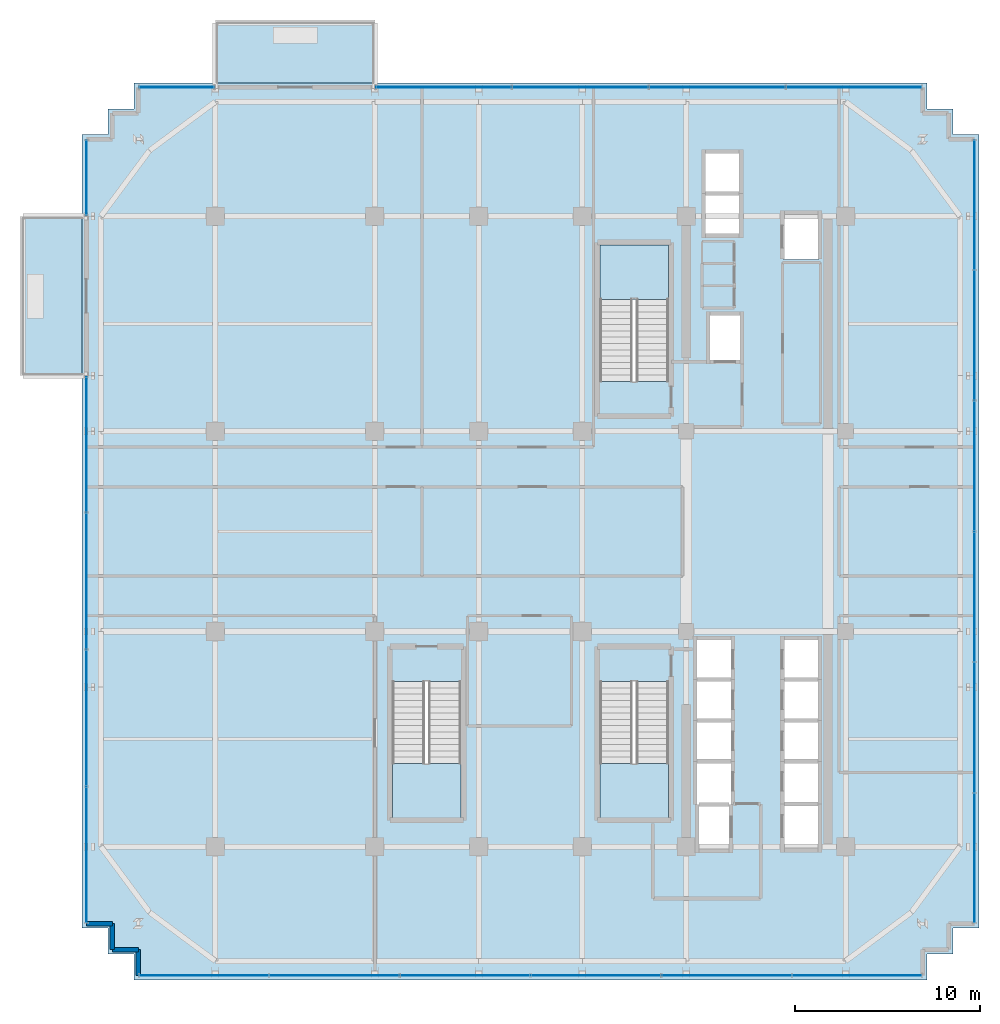
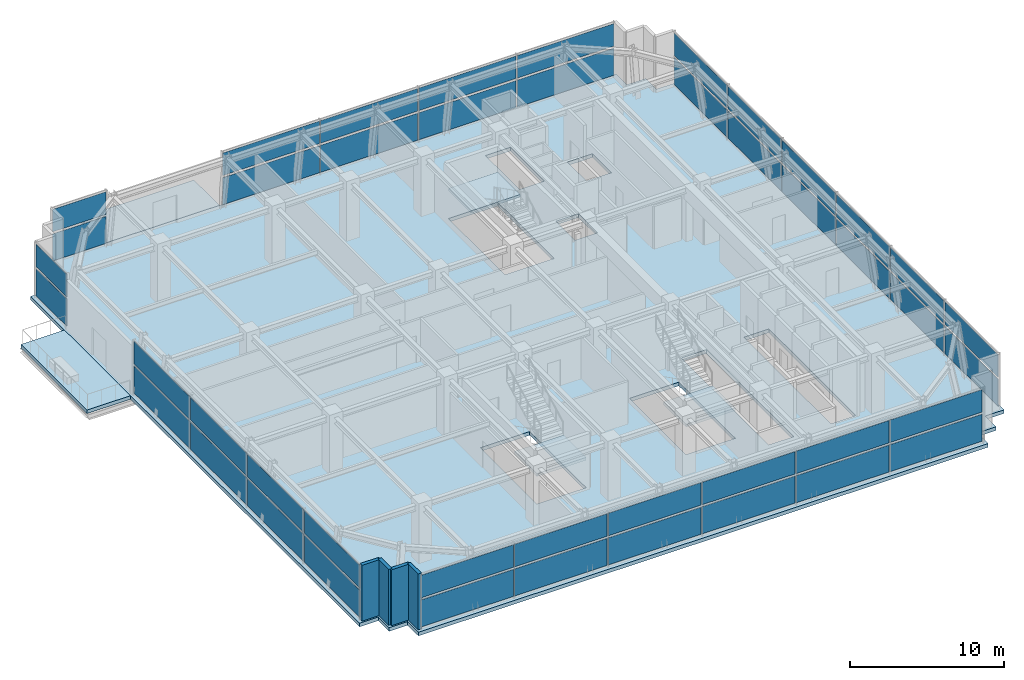
# One storey, part 20 of 28: 44 plates, 6 slabs, 4 walls, 9 elements without a shape of their own.
"""IFC4 building model written with IfcOpenShell, lengths in metres."""

import ifcopenshell
import ifcopenshell.guid

model = None  # the IFC model being written
_history = None  # IfcOwnerHistory: only IFC2X3 demands one
_inside = {}  # id of a spatial element -> (the spatial element, [elements in it])
_under = {}  # id of a project, library or spatial element -> (it, [spatial elements below it])
_declared = {}  # id of a project -> (the project, [libraries it declares])
_typed = {}  # id of a type object -> (the type object, [elements of that type])
_made_of = {}  # id of a material, layer set ... -> (it, [elements and type objects made of it])


def new_model(schema):
    """Start an empty IFC model of exactly this schema.

    Asked for "IFC4X3", IfcOpenShell would pick the latest addendum, in which some entities
    have other attributes; the version numbers below select the first issue.
    IFC2X3 requires an IfcOwnerHistory on every rooted entity: one is made here for all.
    """
    global model, _history
    if schema == "IFC4X3":
        model = ifcopenshell.file(schema_version=(4, 3, 0, 0))
    else:
        model = ifcopenshell.file(schema=schema)
    _inside.clear()
    _under.clear()
    _declared.clear()
    _typed.clear()
    _made_of.clear()
    _history = None
    if model.schema == "IFC2X3":
        org = make("IfcOrganization", Name="unknown")
        user = make(
            "IfcPersonAndOrganization",
            ThePerson=make("IfcPerson", FamilyName="unknown"),
            TheOrganization=org,
        )
        app = make(
            "IfcApplication",
            ApplicationDeveloper=org,
            Version="unknown",
            ApplicationFullName="unknown",
            ApplicationIdentifier="unknown",
        )
        _history = make(
            "IfcOwnerHistory",
            OwningUser=user,
            OwningApplication=app,
            ChangeAction="ADDED",
            CreationDate=0,
        )
    return model


def make(cls, **values):
    """One entity of the class cls with the attributes given. An attribute that is None is left unset."""
    return model.create_entity(
        cls, **{name: value for name, value in values.items() if value is not None}
    )


def rooted(cls, **values):
    """An entity with a GlobalId (a new one), such as an element, a storey or a relation."""
    return make(cls, GlobalId=ifcopenshell.guid.new(), OwnerHistory=_history, **values)


def si_unit(unit_type, name, prefix=None):
    """IfcSIUnit, for example si_unit("LENGTHUNIT", "METRE", prefix="MILLI")."""
    return make("IfcSIUnit", UnitType=unit_type, Prefix=prefix, Name=name)


def assignment(units):
    """IfcUnitAssignment: the units of a project."""
    return None if units is None else make("IfcUnitAssignment", Units=units)


def point(xyz):
    """IfcCartesianPoint."""
    return None if xyz is None else make("IfcCartesianPoint", Coordinates=xyz)


def direction(xyz):
    """IfcDirection."""
    return None if xyz is None else make("IfcDirection", DirectionRatios=xyz)


def frame(location, z_axis=None, x_axis=None):
    """IfcAxis2Placement3D, a coordinate frame: its origin and axes. An axis left out is left unset."""
    return make(
        "IfcAxis2Placement3D",
        Location=point(location),
        Axis=direction(z_axis),
        RefDirection=direction(x_axis),
    )


def frame_2d(location, x_axis=None):
    """IfcAxis2Placement2D, a coordinate frame in the plane: its origin and x axis."""
    return make(
        "IfcAxis2Placement2D", Location=point(location), RefDirection=direction(x_axis)
    )


def origin():
    """The frame at (0, 0, 0) with its axes left unset."""
    return frame((0.0, 0.0, 0.0))


def origin_2d():
    """The frame at (0, 0) in the plane with its x axis left unset."""
    return frame_2d((0.0, 0.0))


def place(relative_to, where):
    """IfcLocalPlacement: puts the frame where relative to a parent placement (None: the world)."""
    return make(
        "IfcLocalPlacement", PlacementRelTo=relative_to, RelativePlacement=where
    )


def context(
    kind, dimensions, precision=None, world=None, true_north=None, identifier=None
):
    """IfcGeometricRepresentationContext, for example the 3D "Model" context."""
    return make(
        "IfcGeometricRepresentationContext",
        ContextIdentifier=identifier,
        ContextType=kind,
        CoordinateSpaceDimension=dimensions,
        Precision=precision,
        WorldCoordinateSystem=world,
        TrueNorth=true_north,
    )


def subcontext(parent, identifier, kind, view, scale=None):
    """IfcGeometricRepresentationSubContext, for example "Body" below "Model"."""
    return make(
        "IfcGeometricRepresentationSubContext",
        ContextIdentifier=identifier,
        ContextType=kind,
        ParentContext=parent,
        TargetScale=scale,
        TargetView=view,
    )


def project(units=None, contexts=None):
    """IfcProject with its units and contexts."""
    return rooted(
        "IfcProject",
        Name="project",
        RepresentationContexts=contexts,
        UnitsInContext=assignment(units),
    )


def spatial(cls, under=None, at=None, **own):
    """A site, building, storey or space (cls), placed at a placement, below another one or the project."""
    s = rooted(cls, ObjectPlacement=at, **own)
    if under is not None:
        _under.setdefault(under.id(), (under, []))[1].append(s)
    return s


def polyline(points):
    """IfcPolyline through the points."""
    return make("IfcPolyline", Points=[point(p) for p in points])


def profile(cls, at=None, kind="AREA", **sizes):
    """A parametric profile (cls). Its sizes go by their IFC names, for example OverallWidth=200.0."""
    return make(cls, ProfileType=kind, Position=at, **sizes)


def rectangle(**sizes):
    """IfcRectangleProfileDef."""
    return profile("IfcRectangleProfileDef", **sizes)


def outline(outer, holes=None, kind="AREA"):
    """IfcArbitraryClosedProfileDef: a profile drawn as a closed curve; with holes, ...WithVoids."""
    if holes is None:
        return make("IfcArbitraryClosedProfileDef", ProfileType=kind, OuterCurve=outer)
    return make(
        "IfcArbitraryProfileDefWithVoids",
        ProfileType=kind,
        OuterCurve=outer,
        InnerCurves=holes,
    )


def extrude(swept, where, along, depth):
    """IfcExtrudedAreaSolid: the profile swept, set in the frame where, extruded along a direction by depth."""
    return make(
        "IfcExtrudedAreaSolid",
        SweptArea=swept,
        Position=where,
        ExtrudedDirection=direction(along),
        Depth=depth,
    )


def shape(context_of_items, identifier, shape_type, items):
    """IfcShapeRepresentation: the items that make up one representation, for example the "Body"."""
    return make(
        "IfcShapeRepresentation",
        ContextOfItems=context_of_items,
        RepresentationIdentifier=identifier,
        RepresentationType=shape_type,
        Items=items,
    )


def source(mapping_origin, context_of_items, identifier, shape_type, items):
    """IfcRepresentationMap: a shape defined once, which mapped items show again and again."""
    return make(
        "IfcRepresentationMap",
        MappingOrigin=mapping_origin,
        MappedRepresentation=shape(context_of_items, identifier, shape_type, items),
    )


def transform(
    local_origin,
    x_axis=None,
    y_axis=None,
    z_axis=None,
    scale=None,
    scale2=None,
    scale3=None,
    uniform=True,
):
    """IfcCartesianTransformationOperator3D, or its non-uniform kind. x_axis, y_axis, z_axis: its Axis1, 2, 3."""
    if uniform:
        return make(
            "IfcCartesianTransformationOperator3D",
            Axis1=direction(x_axis),
            Axis2=direction(y_axis),
            LocalOrigin=point(local_origin),
            Scale=scale,
            Axis3=direction(z_axis),
        )
    return make(
        "IfcCartesianTransformationOperator3DnonUniform",
        Axis1=direction(x_axis),
        Axis2=direction(y_axis),
        LocalOrigin=point(local_origin),
        Scale=scale,
        Axis3=direction(z_axis),
        Scale2=scale2,
        Scale3=scale3,
    )


def mapped(mapping_source, mapping_target):
    """IfcMappedItem: shows the shape of a source again, moved by a transform."""
    return make(
        "IfcMappedItem", MappingSource=mapping_source, MappingTarget=mapping_target
    )


def material(Name=None, Category=None):
    """IfcMaterial."""
    return make("IfcMaterial", Name=Name, Category=Category)


def layer(
    of_material, thickness, ventilated=None, Name=None, Category=None, Priority=None
):
    """IfcMaterialLayer: one layer of a wall or slab, of a material (None: an air gap)."""
    return make(
        "IfcMaterialLayer",
        Material=of_material,
        LayerThickness=thickness,
        IsVentilated=ventilated,
        Name=Name,
        Category=Category,
        Priority=Priority,
    )


def layer_set(layers, Name=None):
    """IfcMaterialLayerSet."""
    return make("IfcMaterialLayerSet", MaterialLayers=layers, LayerSetName=Name)


def made_of(thing, what):
    """Note that an element or type object is made of a material, layer set ...; save() writes the relation."""
    if what is not None:
        _made_of.setdefault(what.id(), (what, []))[1].append(thing)
    return thing


def type_object(cls, material=None, **own):
    """A type object (cls), such as IfcWallType, which elements share."""
    return made_of(rooted(cls, **own), material)


def element(
    cls,
    number,
    at=None,
    inside=None,
    cuts=None,
    type_object=None,
    material=None,
    context=None,
    identifier="Body",
    shape_type=None,
    held_by="IfcProductDefinitionShape",
    body=None,
    shapes=None,
    **own,
):
    """One element of the class cls, such as IfcWall. Its Tag is "e" and its number.

    at: its placement. inside: the storey or other place that contains it. cuts: it is an
    opening in that element (IfcRelVoidsElement). A single representation is given by context,
    identifier, shape_type and body (its items); several are given by shapes. held_by: the class
    of the entity that holds the representations. save() writes the other relations.
    """
    e = rooted(cls, Tag="e%d" % number, ObjectPlacement=at, **own)
    if body is not None:
        shapes = [shape(context, identifier, shape_type, body)]
    if shapes is not None:
        e.Representation = make(held_by, Representations=shapes)
    if inside is not None:
        _inside.setdefault(inside.id(), (inside, []))[1].append(e)
    if cuts is not None:
        rooted(
            "IfcRelVoidsElement", RelatingBuildingElement=cuts, RelatedOpeningElement=e
        )
    if type_object is not None:
        _typed.setdefault(type_object.id(), (type_object, []))[1].append(e)
    return made_of(e, material)


def aggregate(whole, parts):
    """IfcRelAggregates: a whole, such as a stair, and the parts it consists of."""
    return rooted("IfcRelAggregates", RelatingObject=whole, RelatedObjects=parts)


def save(model, path):
    """Write the relations noted so far, then the file.

    IfcRelAggregates (storeys below a building ...), IfcRelContainedInSpatialStructure (elements
    in a storey), IfcRelDefinesByType, IfcRelAssociatesMaterial and IfcRelDeclares: one each for
    every whole, place, type object, material and project.
    """
    for whole, parts in _under.values():
        aggregate(whole, parts)
    for where, things in _inside.values():
        rooted(
            "IfcRelContainedInSpatialStructure",
            RelatedElements=things,
            RelatingStructure=where,
        )
    for kind, things in _typed.values():
        rooted("IfcRelDefinesByType", RelatedObjects=things, RelatingType=kind)
    for what, things in _made_of.values():
        rooted("IfcRelAssociatesMaterial", RelatedObjects=things, RelatingMaterial=what)
    for by, libraries in _declared.values():
        rooted("IfcRelDeclares", RelatingContext=by, RelatedDefinitions=libraries)
    model.write(path)


model = new_model("IFC4")

# Units and contexts
model_context = context("Model", 3, precision=1e-05, world=origin(), true_north=direction((0.0, 1.0)))
body_context = subcontext(model_context, "Body", "Model", "MODEL_VIEW")
ifc_project = project(units=[si_unit("LENGTHUNIT", "METRE"), si_unit("AREAUNIT", "SQUARE_METRE"), si_unit("VOLUMEUNIT", "CUBIC_METRE"), si_unit("PLANEANGLEUNIT", "RADIAN"), si_unit("MASSUNIT", "GRAM", prefix="KILO")], contexts=[model_context])

# Site, building, storey
site_placement = place(None, origin())
site = spatial("IfcSite", under=ifc_project, at=site_placement, CompositionType="ELEMENT")
building_placement = place(site_placement, origin())
building = spatial("IfcBuilding", under=site, at=building_placement, Name="Nahalor Promenade Grand Hotel", CompositionType="ELEMENT")
storey_placement = place(building_placement, frame((0.0, 0.0, 256.699951171875)))
storey = spatial("IfcBuildingStorey", under=building, at=storey_placement, Name="L66", CompositionType="ELEMENT", Elevation=256.699951171875)

# Stair, slab
ifc_material_1 = material(Name="Concrete B-50 (C40/50)", Category="concrete")
stair_type_1 = type_object("IfcStairType", Name="Stair-ST1", PredefinedType="HALF_TURN_STAIR", material=ifc_material_1)
stair_1_placement = place(storey_placement, origin())
stair_1 = element("IfcStair", 1, at=stair_1_placement, inside=storey, type_object=stair_type_1, Name="L66 ST1", PredefinedType="HALF_TURN_STAIR")
ifc_layer_1 = layer(ifc_material_1, 0.199951171875)
ifc_layer_set_1 = layer_set([ifc_layer_1], Name="Concrete B-50 (C40/50)")
slab_type_1 = type_object("IfcSlabType", Name="Landing-ST1", PredefinedType="LANDING", material=ifc_layer_set_1)
slab_1_placement = place(storey_placement, frame((0.0, 0.0, 2.199951171875)))
slab_1 = element("IfcSlab", 2, at=slab_1_placement, type_object=slab_type_1, Name="ST1 landing 1", PredefinedType="LANDING", context=body_context, shape_type="SweptSolid", body=[
    extrude(outline(polyline([(7.449951171875, 12.52001953125), (7.449951171875, 15.449951171875), (3.75, 15.449951171875), (3.75, 12.52001953125), (7.449951171875, 12.52001953125)])), origin(), (0.0, 0.0, 1.0), 0.2001953125),
])
aggregate(stair_1, [slab_1])

stair_type_2 = type_object("IfcStairType", Name="Stair-ST2", PredefinedType="HALF_TURN_STAIR", material=ifc_material_1)
stair_2_placement = place(storey_placement, origin())
stair_2 = element("IfcStair", 3, at=stair_2_placement, inside=storey, type_object=stair_type_2, Name="L66 ST2", PredefinedType="HALF_TURN_STAIR")
ifc_layer_2 = layer(ifc_material_1, 0.2099609375)
ifc_layer_set_2 = layer_set([ifc_layer_2], Name="Concrete B-50 (C40/50)")
slab_type_2 = type_object("IfcSlabType", Name="Landing-ST2", PredefinedType="LANDING", material=ifc_layer_set_2)
slab_2_placement = place(storey_placement, frame((0.0, 0.0, 2.18994140625)))
slab_2 = element("IfcSlab", 4, at=slab_2_placement, type_object=slab_type_2, Name="ST2 landing 1", PredefinedType="LANDING", context=body_context, shape_type="SweptSolid", body=[
    extrude(outline(polyline([(3.75, -12.52001953125), (3.75, -15.449951171875), (7.449951171875, -15.449951171875), (7.449951171875, -12.52001953125), (3.75, -12.52001953125)])), origin(), (0.0, 0.0, 1.0), 0.210205078125),
])
aggregate(stair_2, [slab_2])

stair_type_3 = type_object("IfcStairType", Name="Stair-ST3", PredefinedType="HALF_TURN_STAIR", material=ifc_material_1)
stair_3_placement = place(storey_placement, origin())
stair_3 = element("IfcStair", 5, at=stair_3_placement, inside=storey, type_object=stair_type_3, Name="L66 ST3", PredefinedType="HALF_TURN_STAIR")
ifc_layer_3 = layer(ifc_material_1, 0.219970703125)
ifc_layer_set_3 = layer_set([ifc_layer_3], Name="Concrete B-50 (C40/50)")
slab_type_3 = type_object("IfcSlabType", Name="Landing-ST3", PredefinedType="LANDING", material=ifc_layer_set_3)
slab_3_placement = place(storey_placement, frame((0.0, 0.0, 2.179931640625)))
slab_3 = element("IfcSlab", 6, at=slab_3_placement, type_object=slab_type_3, Name="ST3 landing 1", PredefinedType="LANDING", context=body_context, shape_type="SweptSolid", body=[
    extrude(outline(polyline([(-7.449951171875, -12.52001953125), (-7.449951171875, -15.449951171875), (-3.75, -15.449951171875), (-3.75, -12.52001953125), (-7.449951171875, -12.52001953125)])), origin(), (0.0, 0.0, 1.0), 0.22021484375),
])
aggregate(stair_3, [slab_3])

# Slabs
ifc_layer_4 = layer(ifc_material_1, 0.280029296875)
ifc_layer_set_4 = layer_set([ifc_layer_4], Name="Concrete B-50 (C40/50)")
slab_type_4 = type_object("IfcSlabType", Name="Slab-Balcony-280", PredefinedType="FLOOR", material=ifc_layer_set_4)
slab_4_placement = place(storey_placement, frame((0.0, 0.0, -0.280029296875)))
element("IfcSlab", 7, at=slab_4_placement, inside=storey, type_object=slab_type_4, Name="L66 Cantilevered Planted Balcony 1", PredefinedType="FLOOR", context=body_context, shape_type="SweptSolid", body=[
    extrude(outline(polyline([(-17.0, 24.199951171875), (-8.39990234375, 24.199951171875), (-8.39990234375, 27.52001953125), (-17.0, 27.52001953125), (-17.0, 24.199951171875)])), origin(), (0.0, 0.0, 1.0), 0.280029296875),
])
slab_5_placement = place(storey_placement, frame((0.0, 0.0, -0.280029296875)))
element("IfcSlab", 8, at=slab_5_placement, inside=storey, type_object=slab_type_4, Name="L66 Cantilevered Planted Balcony 2", PredefinedType="FLOOR", context=body_context, shape_type="SweptSolid", body=[
    extrude(outline(polyline([(-27.469970703125, 8.39990234375), (-24.199951171875, 8.39990234375), (-24.199951171875, 17.0), (-27.469970703125, 17.0), (-27.469970703125, 8.39990234375)])), origin(), (0.0, 0.0, 1.0), 0.280029296875),
])
ifc_layer_5 = layer(ifc_material_1, 0.2900390625)
ifc_layer_set_5 = layer_set([ifc_layer_5], Name="Concrete B-50 (C40/50)")
slab_type_5 = type_object("IfcSlabType", Name="Slab-TowerZ4-290", PredefinedType="FLOOR", material=ifc_layer_set_5)
slab_6_placement = place(storey_placement, frame((0.0, 0.0, -0.2900390625)))
element("IfcSlab", 9, at=slab_6_placement, inside=storey, type_object=slab_type_5, Name="L66 Suspended Structural Floor Slab", PredefinedType="FLOOR", context=body_context, shape_type="SweptSolid", body=[
    extrude(outline(polyline([(-21.39990234375, -24.199951171875), (21.39990234375, -24.199951171875), (21.39990234375, -22.800048828125), (22.800048828125, -22.800048828125), (22.800048828125, -21.39990234375), (24.199951171875, -21.39990234375), (24.199951171875, 21.39990234375), (22.800048828125, 21.39990234375), (22.800048828125, 22.800048828125), (21.39990234375, 22.800048828125), (21.39990234375, 24.199951171875), (-21.39990234375, 24.199951171875), (-21.39990234375, 22.800048828125), (-22.800048828125, 22.800048828125), (-22.800048828125, 21.39990234375), (-24.199951171875, 21.39990234375), (-24.199951171875, -21.39990234375), (-22.800048828125, -21.39990234375), (-22.800048828125, -22.800048828125), (-21.39990234375, -22.800048828125), (-21.39990234375, -24.199951171875)]), holes=[polyline([(3.75, 8.10009765625), (7.449951171875, 8.10009765625), (7.449951171875, 15.449951171875), (3.75, 15.449951171875), (3.75, 8.10009765625)]), polyline([(3.75, -15.449951171875), (7.449951171875, -15.449951171875), (7.449951171875, -8.10009765625), (3.75, -8.10009765625), (3.75, -15.449951171875)]), polyline([(-7.449951171875, -15.449951171875), (-3.75, -15.449951171875), (-3.75, -8.10009765625), (-7.449951171875, -8.10009765625), (-7.449951171875, -15.449951171875)]), polyline([(13.659912109375, -17.139892578125), (15.5400390625, -17.139892578125), (15.5400390625, -5.81005859375), (13.659912109375, -5.81005859375), (13.659912109375, -17.139892578125)]), polyline([(8.9599609375, -17.18994140625), (10.840087890625, -17.18994140625), (10.840087890625, -5.81005859375), (8.9599609375, -5.81005859375), (8.9599609375, -17.18994140625)]), polyline([(9.409912109375, 16.010009765625), (11.2900390625, 16.010009765625), (11.2900390625, 20.43994140625), (9.409912109375, 20.43994140625), (9.409912109375, 16.010009765625)]), polyline([(9.659912109375, 9.2099609375), (11.340087890625, 9.2099609375), (11.340087890625, 11.68994140625), (9.659912109375, 11.68994140625), (9.659912109375, 9.2099609375)]), polyline([(13.659912109375, 14.659912109375), (15.5400390625, 14.659912109375), (15.5400390625, 17.139892578125), (13.659912109375, 17.139892578125), (13.659912109375, 14.659912109375)])]), origin(), (0.0, 0.0, 1.0), 0.2900390625),
])

# Curtain wall, plates
ifc_material_2 = material(Name="Anodised Bronze Aluminium EN AW-6063 T6", Category="aluminium")
curtain_wall_type = type_object("IfcCurtainWallType", Name="CW5 Sky-Lobby & Observation Panoramic Curtain Wall", PredefinedType="USERDEFINED", material=ifc_material_2)
curtain_wall_1_placement = place(storey_placement, origin())
curtain_wall_1 = element("IfcCurtainWall", 10, at=curtain_wall_1_placement, inside=storey, type_object=curtain_wall_type, Name="L66 Curtain Wall CW-L66-S-1", ObjectType="UNITISED_CURTAIN_WALL", PredefinedType="USERDEFINED")
ifc_material_3 = material(Name="Low-E Laminated Solar Glass", Category="glass")
ifc_layer_6 = layer(ifc_material_3, 0.035888671875)
ifc_layer_set_6 = layer_set([ifc_layer_6], Name="Low-E Laminated Solar Glass")
plate_type = type_object("IfcPlateType", Name="CWP5 Observation Acoustic Triple IGU 36mm", PredefinedType="CURTAIN_PANEL", material=ifc_layer_set_6)
shared_shape_1 = source(origin(), body_context, "Body", "SweptSolid", [
    extrude(rectangle(XDim=6.92578125, YDim=0.035888671875, at=origin_2d()), origin(), (0.0, 0.0, 1.0), 2.14501953125),
])
plate_1_placement = place(storey_placement, frame((-17.612060546875, -23.9599609375, 0.169921875), z_axis=(0.0, 0.0, 1.0), x_axis=(1.0, 0.0, 0.0)))
plate_1 = element("IfcPlate", 11, at=plate_1_placement, type_object=plate_type, Name="CW-L66-S-1 Glazing Panel 0-0", PredefinedType="CURTAIN_PANEL", context=body_context, shape_type="MappedRepresentation", body=[
    mapped(shared_shape_1, transform((0.0, 0.0, 0.0), scale=1.0)),
])
plate_2_placement = place(storey_placement, frame((17.612060546875, -23.9599609375, 0.169921875), z_axis=(0.0, 0.0, 1.0), x_axis=(1.0, 0.0, 0.0)))
plate_2 = element("IfcPlate", 12, at=plate_2_placement, type_object=plate_type, Name="CW-L66-S-1 Glazing Panel 5-0", PredefinedType="CURTAIN_PANEL", context=body_context, shape_type="MappedRepresentation", body=[
    mapped(shared_shape_1, transform((0.0, 0.0, 0.0), scale=1.0)),
])

curtain_wall_2_placement = place(storey_placement, origin())
curtain_wall_2 = element("IfcCurtainWall", 13, at=curtain_wall_2_placement, inside=storey, type_object=curtain_wall_type, Name="L66 Curtain Wall CW-L66-E-1", ObjectType="UNITISED_CURTAIN_WALL", PredefinedType="USERDEFINED")
plate_3_placement = place(storey_placement, frame((23.9599609375, -17.612060546875, 0.169921875), z_axis=(0.0, 0.0, 1.0), x_axis=(0.0, 1.0, 0.0)))
plate_3 = element("IfcPlate", 14, at=plate_3_placement, type_object=plate_type, Name="CW-L66-E-1 Glazing Panel 0-0", PredefinedType="CURTAIN_PANEL", context=body_context, shape_type="MappedRepresentation", body=[
    mapped(shared_shape_1, transform((0.0, 0.0, 0.0), scale=1.0)),
])
plate_4_placement = place(storey_placement, frame((23.9599609375, 17.612060546875, 0.169921875), z_axis=(0.0, 0.0, 1.0), x_axis=(0.0, 1.0, 0.0)))
plate_4 = element("IfcPlate", 15, at=plate_4_placement, type_object=plate_type, Name="CW-L66-E-1 Glazing Panel 5-0", PredefinedType="CURTAIN_PANEL", context=body_context, shape_type="MappedRepresentation", body=[
    mapped(shared_shape_1, transform((0.0, 0.0, 0.0), scale=1.0)),
])

# Plate
shared_shape_2 = source(origin(), body_context, "Body", "SweptSolid", [
    extrude(rectangle(XDim=6.92578125, YDim=0.035888671875, at=origin_2d()), origin(), (0.0, 0.0, 1.0), 1.784912109375),
])
plate_5_placement = place(storey_placement, frame((-17.612060546875, -23.9599609375, 2.48486328125), z_axis=(0.0, 0.0, 1.0), x_axis=(1.0, 0.0, 0.0)))
plate_5 = element("IfcPlate", 16, at=plate_5_placement, type_object=plate_type, Name="CW-L66-S-1 Glazing Panel 0-1", PredefinedType="CURTAIN_PANEL", context=body_context, shape_type="MappedRepresentation", body=[
    mapped(shared_shape_2, transform((0.0, 0.0, 0.0), scale=1.0)),
])

plate_6_placement = place(storey_placement, frame((17.612060546875, -23.9599609375, 2.48486328125), z_axis=(0.0, 0.0, 1.0), x_axis=(1.0, 0.0, 0.0)))
plate_6 = element("IfcPlate", 17, at=plate_6_placement, type_object=plate_type, Name="CW-L66-S-1 Glazing Panel 5-1", PredefinedType="CURTAIN_PANEL", context=body_context, shape_type="MappedRepresentation", body=[
    mapped(shared_shape_2, transform((0.0, 0.0, 0.0), scale=1.0)),
])

plate_7_placement = place(storey_placement, frame((23.9599609375, -17.612060546875, 2.48486328125), z_axis=(0.0, 0.0, 1.0), x_axis=(0.0, 1.0, 0.0)))
plate_7 = element("IfcPlate", 18, at=plate_7_placement, type_object=plate_type, Name="CW-L66-E-1 Glazing Panel 0-1", PredefinedType="CURTAIN_PANEL", context=body_context, shape_type="MappedRepresentation", body=[
    mapped(shared_shape_2, transform((0.0, 0.0, 0.0), scale=1.0)),
])

plate_8_placement = place(storey_placement, frame((23.9599609375, 17.612060546875, 2.48486328125), z_axis=(0.0, 0.0, 1.0), x_axis=(0.0, 1.0, 0.0)))
plate_8 = element("IfcPlate", 19, at=plate_8_placement, type_object=plate_type, Name="CW-L66-E-1 Glazing Panel 5-1", PredefinedType="CURTAIN_PANEL", context=body_context, shape_type="MappedRepresentation", body=[
    mapped(shared_shape_2, transform((0.0, 0.0, 0.0), scale=1.0)),
])

shared_shape_3 = source(origin(), body_context, "Body", "SweptSolid", [
    extrude(rectangle(XDim=6.96826171875, YDim=0.035888671875, at=origin_2d()), origin(), (0.0, 0.0, 1.0), 2.14501953125),
])
plate_9_placement = place(storey_placement, frame((-10.580078125, -23.9599609375, 0.169921875), z_axis=(0.0, 0.0, 1.0), x_axis=(1.0, 0.0, 0.0)))
plate_9 = element("IfcPlate", 20, at=plate_9_placement, type_object=plate_type, Name="CW-L66-S-1 Glazing Panel 1-0", PredefinedType="CURTAIN_PANEL", context=body_context, shape_type="MappedRepresentation", body=[
    mapped(shared_shape_3, transform((0.0, 0.0, 0.0), scale=1.0)),
])

plate_10_placement = place(storey_placement, frame((-3.526611328125, -23.9599609375, 0.169921875), z_axis=(0.0, 0.0, 1.0), x_axis=(1.0, 0.0, 0.0)))
plate_10 = element("IfcPlate", 21, at=plate_10_placement, type_object=plate_type, Name="CW-L66-S-1 Glazing Panel 2-0", PredefinedType="CURTAIN_PANEL", context=body_context, shape_type="MappedRepresentation", body=[
    mapped(shared_shape_3, transform((0.0, 0.0, 0.0), scale=1.0)),
])

plate_11_placement = place(storey_placement, frame((3.526611328125, -23.9599609375, 0.169921875), z_axis=(0.0, 0.0, 1.0), x_axis=(1.0, 0.0, 0.0)))
plate_11 = element("IfcPlate", 22, at=plate_11_placement, type_object=plate_type, Name="CW-L66-S-1 Glazing Panel 3-0", PredefinedType="CURTAIN_PANEL", context=body_context, shape_type="MappedRepresentation", body=[
    mapped(shared_shape_3, transform((0.0, 0.0, 0.0), scale=1.0)),
])

plate_12_placement = place(storey_placement, frame((10.580078125, -23.9599609375, 0.169921875), z_axis=(0.0, 0.0, 1.0), x_axis=(1.0, 0.0, 0.0)))
plate_12 = element("IfcPlate", 23, at=plate_12_placement, type_object=plate_type, Name="CW-L66-S-1 Glazing Panel 4-0", PredefinedType="CURTAIN_PANEL", context=body_context, shape_type="MappedRepresentation", body=[
    mapped(shared_shape_3, transform((0.0, 0.0, 0.0), scale=1.0)),
])

plate_13_placement = place(storey_placement, frame((23.9599609375, -10.580078125, 0.169921875), z_axis=(0.0, 0.0, 1.0), x_axis=(0.0, 1.0, 0.0)))
plate_13 = element("IfcPlate", 24, at=plate_13_placement, type_object=plate_type, Name="CW-L66-E-1 Glazing Panel 1-0", PredefinedType="CURTAIN_PANEL", context=body_context, shape_type="MappedRepresentation", body=[
    mapped(shared_shape_3, transform((0.0, 0.0, 0.0), scale=1.0)),
])

plate_14_placement = place(storey_placement, frame((23.9599609375, -3.526611328125, 0.169921875), z_axis=(0.0, 0.0, 1.0), x_axis=(0.0, 1.0, 0.0)))
plate_14 = element("IfcPlate", 25, at=plate_14_placement, type_object=plate_type, Name="CW-L66-E-1 Glazing Panel 2-0", PredefinedType="CURTAIN_PANEL", context=body_context, shape_type="MappedRepresentation", body=[
    mapped(shared_shape_3, transform((0.0, 0.0, 0.0), scale=1.0)),
])

plate_15_placement = place(storey_placement, frame((23.9599609375, 3.526611328125, 0.169921875), z_axis=(0.0, 0.0, 1.0), x_axis=(0.0, 1.0, 0.0)))
plate_15 = element("IfcPlate", 26, at=plate_15_placement, type_object=plate_type, Name="CW-L66-E-1 Glazing Panel 3-0", PredefinedType="CURTAIN_PANEL", context=body_context, shape_type="MappedRepresentation", body=[
    mapped(shared_shape_3, transform((0.0, 0.0, 0.0), scale=1.0)),
])

plate_16_placement = place(storey_placement, frame((23.9599609375, 10.580078125, 0.169921875), z_axis=(0.0, 0.0, 1.0), x_axis=(0.0, 1.0, 0.0)))
plate_16 = element("IfcPlate", 27, at=plate_16_placement, type_object=plate_type, Name="CW-L66-E-1 Glazing Panel 4-0", PredefinedType="CURTAIN_PANEL", context=body_context, shape_type="MappedRepresentation", body=[
    mapped(shared_shape_3, transform((0.0, 0.0, 0.0), scale=1.0)),
])

shared_shape_4 = source(origin(), body_context, "Body", "SweptSolid", [
    extrude(rectangle(XDim=6.96826171875, YDim=0.035888671875, at=origin_2d()), origin(), (0.0, 0.0, 1.0), 1.784912109375),
])
plate_17_placement = place(storey_placement, frame((-10.580078125, -23.9599609375, 2.48486328125), z_axis=(0.0, 0.0, 1.0), x_axis=(1.0, 0.0, 0.0)))
plate_17 = element("IfcPlate", 28, at=plate_17_placement, type_object=plate_type, Name="CW-L66-S-1 Glazing Panel 1-1", PredefinedType="CURTAIN_PANEL", context=body_context, shape_type="MappedRepresentation", body=[
    mapped(shared_shape_4, transform((0.0, 0.0, 0.0), scale=1.0)),
])

plate_18_placement = place(storey_placement, frame((-3.526611328125, -23.9599609375, 2.48486328125), z_axis=(0.0, 0.0, 1.0), x_axis=(1.0, 0.0, 0.0)))
plate_18 = element("IfcPlate", 29, at=plate_18_placement, type_object=plate_type, Name="CW-L66-S-1 Glazing Panel 2-1", PredefinedType="CURTAIN_PANEL", context=body_context, shape_type="MappedRepresentation", body=[
    mapped(shared_shape_4, transform((0.0, 0.0, 0.0), scale=1.0)),
])

plate_19_placement = place(storey_placement, frame((3.526611328125, -23.9599609375, 2.48486328125), z_axis=(0.0, 0.0, 1.0), x_axis=(1.0, 0.0, 0.0)))
plate_19 = element("IfcPlate", 30, at=plate_19_placement, type_object=plate_type, Name="CW-L66-S-1 Glazing Panel 3-1", PredefinedType="CURTAIN_PANEL", context=body_context, shape_type="MappedRepresentation", body=[
    mapped(shared_shape_4, transform((0.0, 0.0, 0.0), scale=1.0)),
])

plate_20_placement = place(storey_placement, frame((10.580078125, -23.9599609375, 2.48486328125), z_axis=(0.0, 0.0, 1.0), x_axis=(1.0, 0.0, 0.0)))
plate_20 = element("IfcPlate", 31, at=plate_20_placement, type_object=plate_type, Name="CW-L66-S-1 Glazing Panel 4-1", PredefinedType="CURTAIN_PANEL", context=body_context, shape_type="MappedRepresentation", body=[
    mapped(shared_shape_4, transform((0.0, 0.0, 0.0), scale=1.0)),
])

aggregate(curtain_wall_1, [plate_1, plate_5, plate_9, plate_17, plate_10, plate_18, plate_11, plate_19, plate_12, plate_20, plate_2, plate_6])

plate_21_placement = place(storey_placement, frame((23.9599609375, -10.580078125, 2.48486328125), z_axis=(0.0, 0.0, 1.0), x_axis=(0.0, 1.0, 0.0)))
plate_21 = element("IfcPlate", 32, at=plate_21_placement, type_object=plate_type, Name="CW-L66-E-1 Glazing Panel 1-1", PredefinedType="CURTAIN_PANEL", context=body_context, shape_type="MappedRepresentation", body=[
    mapped(shared_shape_4, transform((0.0, 0.0, 0.0), scale=1.0)),
])

plate_22_placement = place(storey_placement, frame((23.9599609375, -3.526611328125, 2.48486328125), z_axis=(0.0, 0.0, 1.0), x_axis=(0.0, 1.0, 0.0)))
plate_22 = element("IfcPlate", 33, at=plate_22_placement, type_object=plate_type, Name="CW-L66-E-1 Glazing Panel 2-1", PredefinedType="CURTAIN_PANEL", context=body_context, shape_type="MappedRepresentation", body=[
    mapped(shared_shape_4, transform((0.0, 0.0, 0.0), scale=1.0)),
])

plate_23_placement = place(storey_placement, frame((23.9599609375, 3.526611328125, 2.48486328125), z_axis=(0.0, 0.0, 1.0), x_axis=(0.0, 1.0, 0.0)))
plate_23 = element("IfcPlate", 34, at=plate_23_placement, type_object=plate_type, Name="CW-L66-E-1 Glazing Panel 3-1", PredefinedType="CURTAIN_PANEL", context=body_context, shape_type="MappedRepresentation", body=[
    mapped(shared_shape_4, transform((0.0, 0.0, 0.0), scale=1.0)),
])

plate_24_placement = place(storey_placement, frame((23.9599609375, 10.580078125, 2.48486328125), z_axis=(0.0, 0.0, 1.0), x_axis=(0.0, 1.0, 0.0)))
plate_24 = element("IfcPlate", 35, at=plate_24_placement, type_object=plate_type, Name="CW-L66-E-1 Glazing Panel 4-1", PredefinedType="CURTAIN_PANEL", context=body_context, shape_type="MappedRepresentation", body=[
    mapped(shared_shape_4, transform((0.0, 0.0, 0.0), scale=1.0)),
])

aggregate(curtain_wall_2, [plate_3, plate_7, plate_13, plate_21, plate_14, plate_22, plate_15, plate_23, plate_16, plate_24, plate_4, plate_8])

# Curtain wall, plate
curtain_wall_3_placement = place(storey_placement, origin())
curtain_wall_3 = element("IfcCurtainWall", 36, at=curtain_wall_3_placement, inside=storey, type_object=curtain_wall_type, Name="L66 Curtain Wall CW-L66-N-1", ObjectType="UNITISED_CURTAIN_WALL", PredefinedType="USERDEFINED")
shared_shape_5 = source(origin(), body_context, "Body", "SweptSolid", [
    extrude(rectangle(XDim=3.989990234375, YDim=0.035888671875, at=origin_2d()), origin(), (0.0, 0.0, 1.0), 2.14501953125),
])
plate_25_placement = place(storey_placement, frame((-19.080078125, 23.9599609375, 0.169921875), z_axis=(0.0, 0.0, 1.0), x_axis=(1.0, 0.0, 0.0)))
plate_25 = element("IfcPlate", 37, at=plate_25_placement, type_object=plate_type, Name="CW-L66-N-1 Glazing Panel 0-0", PredefinedType="CURTAIN_PANEL", context=body_context, shape_type="MappedRepresentation", body=[
    mapped(shared_shape_5, transform((0.0, 0.0, 0.0), scale=1.0)),
])

curtain_wall_4_placement = place(storey_placement, origin())
curtain_wall_4 = element("IfcCurtainWall", 38, at=curtain_wall_4_placement, inside=storey, type_object=curtain_wall_type, Name="L66 Curtain Wall CW-L66-W-3", ObjectType="UNITISED_CURTAIN_WALL", PredefinedType="USERDEFINED")
plate_26_placement = place(storey_placement, frame((-23.9599609375, 19.080078125, 0.169921875), z_axis=(0.0, 0.0, 1.0), x_axis=(0.0, 1.0, 0.0)))
plate_26 = element("IfcPlate", 39, at=plate_26_placement, type_object=plate_type, Name="CW-L66-W-3 Glazing Panel 0-0", PredefinedType="CURTAIN_PANEL", context=body_context, shape_type="MappedRepresentation", body=[
    mapped(shared_shape_5, transform((0.0, 0.0, 0.0), scale=1.0)),
])

# Plate
shared_shape_6 = source(origin(), body_context, "Body", "SweptSolid", [
    extrude(rectangle(XDim=3.989990234375, YDim=0.035888671875, at=origin_2d()), origin(), (0.0, 0.0, 1.0), 1.784912109375),
])
plate_27_placement = place(storey_placement, frame((-19.080078125, 23.9599609375, 2.48486328125), z_axis=(0.0, 0.0, 1.0), x_axis=(1.0, 0.0, 0.0)))
plate_27 = element("IfcPlate", 40, at=plate_27_placement, type_object=plate_type, Name="CW-L66-N-1 Glazing Panel 0-1", PredefinedType="CURTAIN_PANEL", context=body_context, shape_type="MappedRepresentation", body=[
    mapped(shared_shape_6, transform((0.0, 0.0, 0.0), scale=1.0)),
])

aggregate(curtain_wall_3, [plate_25, plate_27])

plate_28_placement = place(storey_placement, frame((-23.9599609375, 19.080078125, 2.48486328125), z_axis=(0.0, 0.0, 1.0), x_axis=(0.0, 1.0, 0.0)))
plate_28 = element("IfcPlate", 41, at=plate_28_placement, type_object=plate_type, Name="CW-L66-W-3 Glazing Panel 0-1", PredefinedType="CURTAIN_PANEL", context=body_context, shape_type="MappedRepresentation", body=[
    mapped(shared_shape_6, transform((0.0, 0.0, 0.0), scale=1.0)),
])

aggregate(curtain_wall_4, [plate_26, plate_28])

# Curtain wall, plates
curtain_wall_5_placement = place(storey_placement, origin())
curtain_wall_5 = element("IfcCurtainWall", 42, at=curtain_wall_5_placement, inside=storey, type_object=curtain_wall_type, Name="L66 Curtain Wall CW-L66-N-3", ObjectType="UNITISED_CURTAIN_WALL", PredefinedType="USERDEFINED")
shared_shape_7 = source(origin(), body_context, "Body", "SweptSolid", [
    extrude(rectangle(XDim=7.262451171875, YDim=0.035888671875, at=origin_2d()), origin(), (0.0, 0.0, 1.0), 2.14501953125),
])
plate_29_placement = place(storey_placement, frame((-4.683837890625, 23.9599609375, 0.169921875), z_axis=(0.0, 0.0, 1.0), x_axis=(1.0, 0.0, 0.0)))
plate_29 = element("IfcPlate", 43, at=plate_29_placement, type_object=plate_type, Name="CW-L66-N-3 Glazing Panel 0-0", PredefinedType="CURTAIN_PANEL", context=body_context, shape_type="MappedRepresentation", body=[
    mapped(shared_shape_7, transform((0.0, 0.0, 0.0), scale=1.0)),
])
plate_30_placement = place(storey_placement, frame((17.44384765625, 23.9599609375, 0.169921875), z_axis=(0.0, 0.0, 1.0), x_axis=(1.0, 0.0, 0.0)))
plate_30 = element("IfcPlate", 44, at=plate_30_placement, type_object=plate_type, Name="CW-L66-N-3 Glazing Panel 3-0", PredefinedType="CURTAIN_PANEL", context=body_context, shape_type="MappedRepresentation", body=[
    mapped(shared_shape_7, transform((0.0, 0.0, 0.0), scale=1.0)),
])

curtain_wall_6_placement = place(storey_placement, origin())
curtain_wall_6 = element("IfcCurtainWall", 45, at=curtain_wall_6_placement, inside=storey, type_object=curtain_wall_type, Name="L66 Curtain Wall CW-L66-W-1", ObjectType="UNITISED_CURTAIN_WALL", PredefinedType="USERDEFINED")
plate_31_placement = place(storey_placement, frame((-23.9599609375, -17.44384765625, 0.169921875), z_axis=(0.0, 0.0, 1.0), x_axis=(0.0, 1.0, 0.0)))
plate_31 = element("IfcPlate", 46, at=plate_31_placement, type_object=plate_type, Name="CW-L66-W-1 Glazing Panel 0-0", PredefinedType="CURTAIN_PANEL", context=body_context, shape_type="MappedRepresentation", body=[
    mapped(shared_shape_7, transform((0.0, 0.0, 0.0), scale=1.0)),
])
plate_32_placement = place(storey_placement, frame((-23.9599609375, 4.683837890625, 0.169921875), z_axis=(0.0, 0.0, 1.0), x_axis=(0.0, 1.0, 0.0)))
plate_32 = element("IfcPlate", 47, at=plate_32_placement, type_object=plate_type, Name="CW-L66-W-1 Glazing Panel 3-0", PredefinedType="CURTAIN_PANEL", context=body_context, shape_type="MappedRepresentation", body=[
    mapped(shared_shape_7, transform((0.0, 0.0, 0.0), scale=1.0)),
])

# Plate
shared_shape_8 = source(origin(), body_context, "Body", "SweptSolid", [
    extrude(rectangle(XDim=7.262451171875, YDim=0.035888671875, at=origin_2d()), origin(), (0.0, 0.0, 1.0), 1.784912109375),
])
plate_33_placement = place(storey_placement, frame((-4.683837890625, 23.9599609375, 2.48486328125), z_axis=(0.0, 0.0, 1.0), x_axis=(1.0, 0.0, 0.0)))
plate_33 = element("IfcPlate", 48, at=plate_33_placement, type_object=plate_type, Name="CW-L66-N-3 Glazing Panel 0-1", PredefinedType="CURTAIN_PANEL", context=body_context, shape_type="MappedRepresentation", body=[
    mapped(shared_shape_8, transform((0.0, 0.0, 0.0), scale=1.0)),
])

plate_34_placement = place(storey_placement, frame((17.44384765625, 23.9599609375, 2.48486328125), z_axis=(0.0, 0.0, 1.0), x_axis=(1.0, 0.0, 0.0)))
plate_34 = element("IfcPlate", 49, at=plate_34_placement, type_object=plate_type, Name="CW-L66-N-3 Glazing Panel 3-1", PredefinedType="CURTAIN_PANEL", context=body_context, shape_type="MappedRepresentation", body=[
    mapped(shared_shape_8, transform((0.0, 0.0, 0.0), scale=1.0)),
])

plate_35_placement = place(storey_placement, frame((-23.9599609375, -17.44384765625, 2.48486328125), z_axis=(0.0, 0.0, 1.0), x_axis=(0.0, 1.0, 0.0)))
plate_35 = element("IfcPlate", 50, at=plate_35_placement, type_object=plate_type, Name="CW-L66-W-1 Glazing Panel 0-1", PredefinedType="CURTAIN_PANEL", context=body_context, shape_type="MappedRepresentation", body=[
    mapped(shared_shape_8, transform((0.0, 0.0, 0.0), scale=1.0)),
])

plate_36_placement = place(storey_placement, frame((-23.9599609375, 4.683837890625, 2.48486328125), z_axis=(0.0, 0.0, 1.0), x_axis=(0.0, 1.0, 0.0)))
plate_36 = element("IfcPlate", 51, at=plate_36_placement, type_object=plate_type, Name="CW-L66-W-1 Glazing Panel 3-1", PredefinedType="CURTAIN_PANEL", context=body_context, shape_type="MappedRepresentation", body=[
    mapped(shared_shape_8, transform((0.0, 0.0, 0.0), scale=1.0)),
])

shared_shape_9 = source(origin(), body_context, "Body", "SweptSolid", [
    extrude(rectangle(XDim=7.304931640625, YDim=0.035888671875, at=origin_2d()), origin(), (0.0, 0.0, 1.0), 2.14501953125),
])
plate_37_placement = place(storey_placement, frame((2.68505859375, 23.9599609375, 0.169921875), z_axis=(0.0, 0.0, 1.0), x_axis=(1.0, 0.0, 0.0)))
plate_37 = element("IfcPlate", 52, at=plate_37_placement, type_object=plate_type, Name="CW-L66-N-3 Glazing Panel 1-0", PredefinedType="CURTAIN_PANEL", context=body_context, shape_type="MappedRepresentation", body=[
    mapped(shared_shape_9, transform((0.0, 0.0, 0.0), scale=1.0)),
])

plate_38_placement = place(storey_placement, frame((10.074951171875, 23.9599609375, 0.169921875), z_axis=(0.0, 0.0, 1.0), x_axis=(1.0, 0.0, 0.0)))
plate_38 = element("IfcPlate", 53, at=plate_38_placement, type_object=plate_type, Name="CW-L66-N-3 Glazing Panel 2-0", PredefinedType="CURTAIN_PANEL", context=body_context, shape_type="MappedRepresentation", body=[
    mapped(shared_shape_9, transform((0.0, 0.0, 0.0), scale=1.0)),
])

plate_39_placement = place(storey_placement, frame((-23.9599609375, -10.074951171875, 0.169921875), z_axis=(0.0, 0.0, 1.0), x_axis=(0.0, 1.0, 0.0)))
plate_39 = element("IfcPlate", 54, at=plate_39_placement, type_object=plate_type, Name="CW-L66-W-1 Glazing Panel 1-0", PredefinedType="CURTAIN_PANEL", context=body_context, shape_type="MappedRepresentation", body=[
    mapped(shared_shape_9, transform((0.0, 0.0, 0.0), scale=1.0)),
])

plate_40_placement = place(storey_placement, frame((-23.9599609375, -2.68505859375, 0.169921875), z_axis=(0.0, 0.0, 1.0), x_axis=(0.0, 1.0, 0.0)))
plate_40 = element("IfcPlate", 55, at=plate_40_placement, type_object=plate_type, Name="CW-L66-W-1 Glazing Panel 2-0", PredefinedType="CURTAIN_PANEL", context=body_context, shape_type="MappedRepresentation", body=[
    mapped(shared_shape_9, transform((0.0, 0.0, 0.0), scale=1.0)),
])

shared_shape_10 = source(origin(), body_context, "Body", "SweptSolid", [
    extrude(rectangle(XDim=7.304931640625, YDim=0.035888671875, at=origin_2d()), origin(), (0.0, 0.0, 1.0), 1.784912109375),
])
plate_41_placement = place(storey_placement, frame((2.68505859375, 23.9599609375, 2.48486328125), z_axis=(0.0, 0.0, 1.0), x_axis=(1.0, 0.0, 0.0)))
plate_41 = element("IfcPlate", 56, at=plate_41_placement, type_object=plate_type, Name="CW-L66-N-3 Glazing Panel 1-1", PredefinedType="CURTAIN_PANEL", context=body_context, shape_type="MappedRepresentation", body=[
    mapped(shared_shape_10, transform((0.0, 0.0, 0.0), scale=1.0)),
])

plate_42_placement = place(storey_placement, frame((10.074951171875, 23.9599609375, 2.48486328125), z_axis=(0.0, 0.0, 1.0), x_axis=(1.0, 0.0, 0.0)))
plate_42 = element("IfcPlate", 57, at=plate_42_placement, type_object=plate_type, Name="CW-L66-N-3 Glazing Panel 2-1", PredefinedType="CURTAIN_PANEL", context=body_context, shape_type="MappedRepresentation", body=[
    mapped(shared_shape_10, transform((0.0, 0.0, 0.0), scale=1.0)),
])

aggregate(curtain_wall_5, [plate_29, plate_33, plate_37, plate_41, plate_38, plate_42, plate_30, plate_34])

plate_43_placement = place(storey_placement, frame((-23.9599609375, -10.074951171875, 2.48486328125), z_axis=(0.0, 0.0, 1.0), x_axis=(0.0, 1.0, 0.0)))
plate_43 = element("IfcPlate", 58, at=plate_43_placement, type_object=plate_type, Name="CW-L66-W-1 Glazing Panel 1-1", PredefinedType="CURTAIN_PANEL", context=body_context, shape_type="MappedRepresentation", body=[
    mapped(shared_shape_10, transform((0.0, 0.0, 0.0), scale=1.0)),
])

plate_44_placement = place(storey_placement, frame((-23.9599609375, -2.68505859375, 2.48486328125), z_axis=(0.0, 0.0, 1.0), x_axis=(0.0, 1.0, 0.0)))
plate_44 = element("IfcPlate", 59, at=plate_44_placement, type_object=plate_type, Name="CW-L66-W-1 Glazing Panel 2-1", PredefinedType="CURTAIN_PANEL", context=body_context, shape_type="MappedRepresentation", body=[
    mapped(shared_shape_10, transform((0.0, 0.0, 0.0), scale=1.0)),
])

aggregate(curtain_wall_6, [plate_31, plate_35, plate_39, plate_43, plate_40, plate_44, plate_32, plate_36])

# Walls
ifc_material_4 = material(Name="Concrete B-40 (C32/40)", Category="concrete")
ifc_layer_7 = layer(ifc_material_4, 0.25)
ifc_layer_set_7 = layer_set([ifc_layer_7], Name="Concrete B-40 (C32/40)")
wall_type = type_object("IfcWallType", Name="Wall-BronzePier-250", PredefinedType="STANDARD", material=ifc_layer_set_7)
shared_shape_11 = source(origin(), body_context, "Body", "SweptSolid", [
    extrude(rectangle(XDim=1.39990234375, YDim=0.25, at=frame_2d((0.699951171875, 0.0))), origin(), (0.0, 0.0, 1.0), 4.43994140625),
])
for number, where, z_axis, x_axis, name in (
    (60, (-23.9599609375, -21.159912109375, 0.0), (0.0, 0.0, 1.0), (1.0, 0.0, 0.0), "W-L66-SR-13"),
    (61, (-21.159912109375, -23.9599609375, 0.0), (0.0, 0.0, 1.0), (0.0, 1.0, 0.0), "W-L66-SR-16"),
):
    element("IfcWall", number, at=place(storey_placement, frame(where, z_axis=z_axis, x_axis=x_axis)), inside=storey, type_object=wall_type, Name=name, PredefinedType="STANDARD", context=body_context, shape_type="MappedRepresentation", body=[
        mapped(shared_shape_11, transform((0.0, 0.0, 0.0), scale=1.0)),
    ])
shared_shape_12 = source(origin(), body_context, "Body", "SweptSolid", [
    extrude(rectangle(XDim=1.400146484375, YDim=0.25, at=frame_2d((0.7001953125, 0.0))), origin(), (0.0, 0.0, 1.0), 4.43994140625),
])
for number, where, z_axis, x_axis, name in (
    (62, (-22.56005859375, -22.56005859375, 0.0), (0.0, 0.0, 1.0), (0.0, 1.0, 0.0), "W-L66-SR-14"),
    (63, (-22.56005859375, -22.56005859375, 0.0), (0.0, 0.0, 1.0), (1.0, 0.0, 0.0), "W-L66-SR-15"),
):
    element("IfcWall", number, at=place(storey_placement, frame(where, z_axis=z_axis, x_axis=x_axis)), inside=storey, type_object=wall_type, Name=name, PredefinedType="STANDARD", context=body_context, shape_type="MappedRepresentation", body=[
        mapped(shared_shape_12, transform((0.0, 0.0, 0.0), scale=1.0)),
    ])

save(model, "model.ifc")
